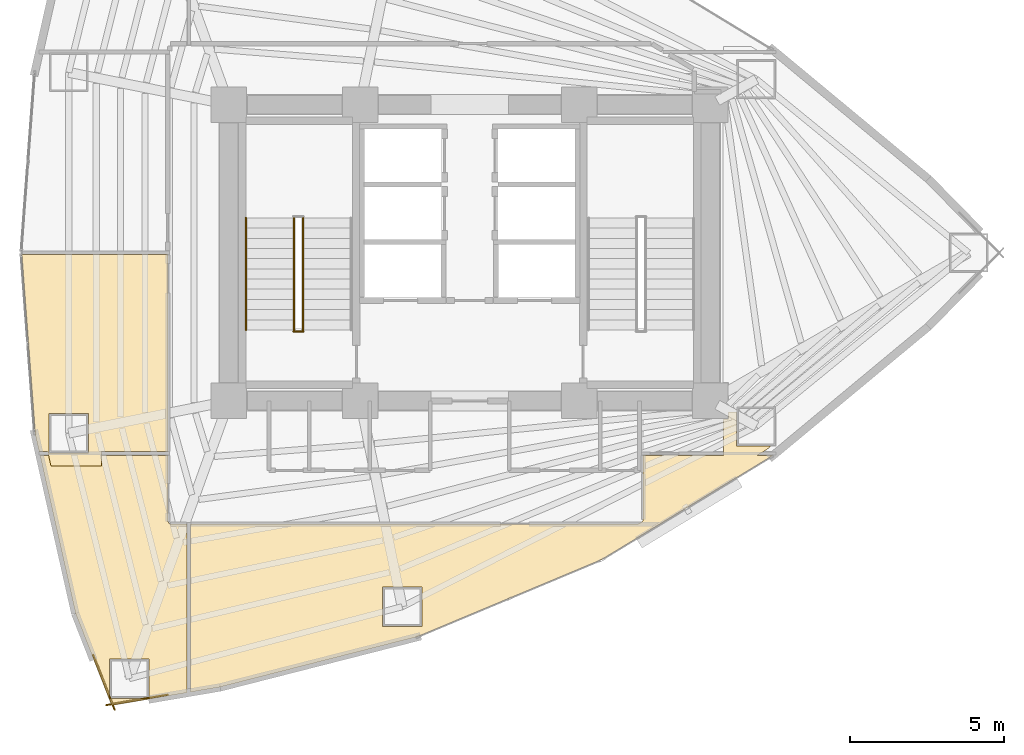
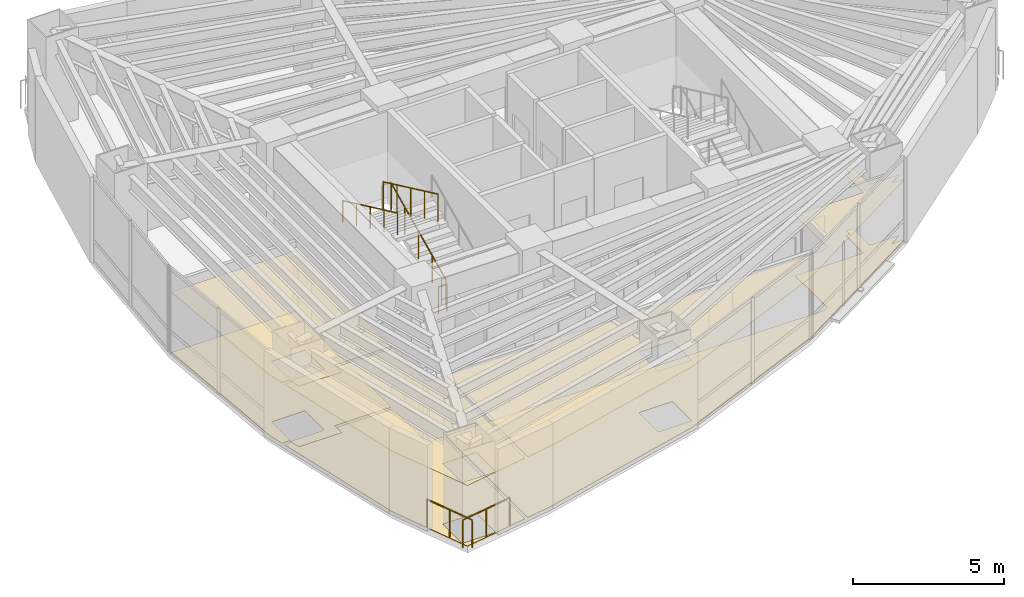
# One storey, part 15 of 16: 6 coverings, 6 railings.
"""IFC4 building model written with IfcOpenShell, lengths in metres."""

from ifc_helpers import new_model, si_unit, direction, frame, origin, origin_2d, place, context, subcontext, project, spatial, polyline, circle, outline, extrude, material, layer, layer_set, type_object, element, save


model = new_model("IFC4")

# Units and contexts
model_context = context("Model", 3, precision=1e-05, world=origin(), true_north=direction((0.0, 1.0)))
body_context = subcontext(model_context, "Body", "Model", "MODEL_VIEW")
ifc_project = project(units=[si_unit("LENGTHUNIT", "METRE"), si_unit("AREAUNIT", "SQUARE_METRE"), si_unit("VOLUMEUNIT", "CUBIC_METRE"), si_unit("PLANEANGLEUNIT", "RADIAN"), si_unit("MASSUNIT", "GRAM", prefix="KILO")], contexts=[model_context])

# Site, building, storey
site_placement = place(None, origin())
site = spatial("IfcSite", under=ifc_project, at=site_placement, CompositionType="ELEMENT")
building_placement = place(site_placement, origin())
building = spatial("IfcBuilding", under=site, at=building_placement, Name="Menara Vayukalpa", CompositionType="ELEMENT")
storey_placement = place(building_placement, frame((0.0, 0.0, 75.9599609375)))
storey = spatial("IfcBuildingStorey", under=building, at=storey_placement, Name="L18", CompositionType="ELEMENT", Elevation=75.9599609375)

# Coverings
ifc_material_1 = material(Name="Mineral Fibre Acoustic Ceiling Tile", Category="masonry")
ifc_layer_1 = layer(ifc_material_1, 0.02490234375)
ifc_layer_set_1 = layer_set([ifc_layer_1], Name="Mineral Fibre Acoustic Ceiling Tile")
covering_type_1 = type_object("IfcCoveringType", Name="COV-CLG1", PredefinedType="CEILING", material=ifc_layer_set_1)
covering_1_placement = place(storey_placement, frame((0.0, 0.0, 2.449951171875)))
element("IfcCovering", 1, at=covering_1_placement, inside=storey, type_object=covering_type_1, Name="L18 Visitor Reception Lounge Acoustic Ceiling", PredefinedType="CEILING", context=body_context, shape_type="SweptSolid", body=[
    extrude(outline(polyline([(11.65869140625, 15.56005859375), (11.65771484375, 15.56005859375), (11.65673828125, 15.560302734375), (11.65576171875, 15.560302734375), (11.65478515625, 15.560791015625), (11.654052734375, 15.56103515625), (11.653076171875, 15.5615234375), (11.65234375, 15.562255859375), (11.651611328125, 15.562744140625), (11.65087890625, 15.5634765625), (11.650390625, 15.564208984375), (11.64990234375, 15.565185546875), (11.6494140625, 15.56591796875), (11.649169921875, 15.56689453125), (11.648681640625, 15.56787109375), (11.5166015625, 16.155029296875), (11.516357421875, 16.156494140625), (11.08349609375, 21.92919921875), (11.08349609375, 21.93017578125), (11.08349609375, 21.93115234375), (11.083740234375, 21.93212890625), (11.083984375, 21.93310546875), (11.084228515625, 21.93408203125), (11.084716796875, 21.934814453125), (11.085205078125, 21.935791015625), (11.085693359375, 21.936279296875), (11.08642578125, 21.93701171875), (11.087158203125, 21.937744140625), (11.087890625, 21.9384765625), (11.0888671875, 21.93896484375), (11.089599609375, 21.939208984375), (11.090576171875, 21.939697265625), (11.091552734375, 21.939697265625), (11.092529296875, 21.93994140625), (11.093505859375, 21.93994140625), (15.820068359375, 21.93994140625), (15.821044921875, 21.93994140625), (15.822021484375, 21.939697265625), (15.822998046875, 21.939697265625), (15.82373046875, 21.939208984375), (15.82470703125, 21.938720703125), (15.82568359375, 21.938232421875), (15.826416015625, 21.937744140625), (15.8271484375, 21.93701171875), (15.82763671875, 21.936279296875), (15.828369140625, 21.935546875), (15.828857421875, 21.934814453125), (15.8291015625, 21.933837890625), (15.82958984375, 21.932861328125), (15.829833984375, 21.931884765625), (15.830078125, 21.930908203125), (15.830078125, 21.929931640625), (15.830078125, 15.570068359375), (15.830078125, 15.569091796875), (15.829833984375, 15.568115234375), (15.82958984375, 15.567138671875), (15.8291015625, 15.566162109375), (15.828857421875, 15.565185546875), (15.828369140625, 15.564453125), (15.82763671875, 15.563720703125), (15.8271484375, 15.56298828125), (15.826416015625, 15.562255859375), (15.82568359375, 15.561767578125), (15.82470703125, 15.561279296875), (15.82373046875, 15.560791015625), (15.822998046875, 15.560302734375), (15.822021484375, 15.560302734375), (15.821044921875, 15.56005859375), (15.820068359375, 15.56005859375), (13.66650390625, 15.56005859375), (13.66650390625, 15.09423828125), (12.031982421875, 15.09423828125), (11.92724609375, 15.56005859375), (11.65869140625, 15.56005859375)]), holes=[polyline([(13.24658203125, 16.794189453125), (11.966552734375, 16.794189453125), (11.966552734375, 15.514404296875), (13.24658203125, 15.514404296875), (13.24658203125, 16.794189453125)])]), origin(), (0.0, 0.0, 1.0), 0.025146484375),
])
covering_2_placement = place(storey_placement, frame((0.0, 0.0, 2.449951171875)))
element("IfcCovering", 2, at=covering_2_placement, inside=storey, type_object=covering_type_1, Name="L18 Visitor Reception Lounge Acoustic Ceiling", PredefinedType="CEILING", context=body_context, shape_type="SweptSolid", body=[
    extrude(outline(polyline([(14.005615234375, 7.33642578125), (14.00439453125, 7.336669921875), (14.003662109375, 7.3369140625), (14.002685546875, 7.33740234375), (14.001708984375, 7.337646484375), (14.0009765625, 7.338134765625), (14.000244140625, 7.3388671875), (13.99951171875, 7.339599609375), (13.998779296875, 7.340087890625), (13.998291015625, 7.341064453125), (13.997802734375, 7.341796875), (13.997314453125, 7.3427734375), (12.831787109375, 10.310791015625), (12.83154296875, 10.3115234375), (12.831298828125, 10.312255859375), (11.680419921875, 15.427734375), (11.68017578125, 15.4287109375), (11.68017578125, 15.4296875), (11.68017578125, 15.430908203125), (11.680419921875, 15.431884765625), (11.680419921875, 15.4326171875), (11.680908203125, 15.43359375), (11.68115234375, 15.4345703125), (11.681640625, 15.435302734375), (11.682373046875, 15.436279296875), (11.68310546875, 15.43701171875), (11.68359375, 15.437744140625), (11.6845703125, 15.438232421875), (11.685302734375, 15.438720703125), (11.686279296875, 15.439208984375), (11.687255859375, 15.439697265625), (11.68798828125, 15.439697265625), (11.689208984375, 15.43994140625), (11.690185546875, 15.43994140625), (11.954345703125, 15.43994140625), (11.7841796875, 16.19580078125), (11.7080078125, 17.21435546875), (13.66650390625, 17.21435546875), (13.66650390625, 15.43994140625), (15.820068359375, 15.43994140625), (15.821044921875, 15.43994140625), (15.822021484375, 15.439697265625), (15.822998046875, 15.439697265625), (15.82373046875, 15.439208984375), (15.82470703125, 15.438720703125), (15.82568359375, 15.438232421875), (15.826416015625, 15.437744140625), (15.8271484375, 15.43701171875), (15.82763671875, 15.436279296875), (15.828369140625, 15.435546875), (15.828857421875, 15.434814453125), (15.8291015625, 15.433837890625), (15.82958984375, 15.432861328125), (15.829833984375, 15.431884765625), (15.830078125, 15.430908203125), (15.830078125, 15.429931640625), (15.830078125, 13.290283203125), (15.830322265625, 13.283203125), (15.831298828125, 13.2763671875), (15.8330078125, 13.269775390625), (15.835205078125, 13.26318359375), (15.838134765625, 13.257080078125), (15.841796875, 13.251220703125), (15.845947265625, 13.24560546875), (15.8505859375, 13.240478515625), (15.85546875, 13.236083984375), (15.861083984375, 13.231689453125), (15.866943359375, 13.228271484375), (15.873291015625, 13.225341796875), (15.879638671875, 13.222900390625), (15.88623046875, 13.22119140625), (15.893310546875, 13.220458984375), (15.900390625, 13.219970703125), (16.429931640625, 13.219970703125), (16.430908203125, 13.219970703125), (16.431884765625, 13.2197265625), (16.432861328125, 13.219482421875), (16.433837890625, 13.21923828125), (16.434814453125, 13.21875), (16.435546875, 13.21826171875), (16.436279296875, 13.2177734375), (16.43701171875, 13.217041015625), (16.437744140625, 13.21630859375), (16.438232421875, 13.215576171875), (16.438720703125, 13.214599609375), (16.439208984375, 13.2138671875), (16.439697265625, 13.212890625), (16.439697265625, 13.2119140625), (16.43994140625, 13.2109375), (16.43994140625, 13.2099609375), (16.43994140625, 7.7578125), (16.43994140625, 7.7568359375), (16.439697265625, 7.755859375), (16.439697265625, 7.7548828125), (16.439208984375, 7.75390625), (16.438720703125, 7.7529296875), (16.438232421875, 7.752197265625), (16.4375, 7.751220703125), (16.43701171875, 7.75048828125), (16.436279296875, 7.75), (16.435302734375, 7.74951171875), (16.4345703125, 7.748779296875), (16.43359375, 7.74853515625), (16.4326171875, 7.748291015625), (16.431640625, 7.747802734375), (14.00830078125, 7.33642578125), (14.00732421875, 7.33642578125), (14.00634765625, 7.33642578125), (14.005615234375, 7.33642578125)]), holes=[polyline([(15.208984375, 8.842529296875), (13.92919921875, 8.842529296875), (13.92919921875, 7.5625), (15.208984375, 7.5625), (15.208984375, 8.842529296875)]), polyline([(13.24658203125, 16.794189453125), (11.966552734375, 16.794189453125), (11.966552734375, 15.514404296875), (13.24658203125, 15.514404296875), (13.24658203125, 16.794189453125)])]), origin(), (0.0, 0.0, 1.0), 0.025146484375),
])
covering_3_placement = place(storey_placement, frame((0.0, 0.0, 2.449951171875)))
element("IfcCovering", 3, at=covering_3_placement, inside=storey, type_object=covering_type_1, Name="L18 Visitor Reception Lounge Acoustic Ceiling", PredefinedType="CEILING", context=body_context, shape_type="SweptSolid", body=[
    extrude(outline(polyline([(23.90478515625, 9.562255859375), (23.903564453125, 9.561767578125), (17.5087890625, 7.930908203125), (17.5078125, 7.9306640625), (16.57177734375, 7.771728515625), (16.57080078125, 7.771484375), (16.569580078125, 7.771484375), (16.56884765625, 7.771728515625), (16.56787109375, 7.771728515625), (16.56689453125, 7.772216796875), (16.56591796875, 7.7724609375), (16.565185546875, 7.77294921875), (16.564208984375, 7.7734375), (16.5634765625, 7.77392578125), (16.562744140625, 7.774658203125), (16.562255859375, 7.775390625), (16.5615234375, 7.776123046875), (16.56103515625, 7.777099609375), (16.560791015625, 7.77783203125), (16.560302734375, 7.77880859375), (16.560302734375, 7.77978515625), (16.56005859375, 7.780517578125), (16.56005859375, 7.781494140625), (16.56005859375, 13.2099609375), (16.56005859375, 13.2109375), (16.560302734375, 13.2119140625), (16.560302734375, 13.212890625), (16.560791015625, 13.2138671875), (16.561279296875, 13.214599609375), (16.561767578125, 13.215576171875), (16.562255859375, 13.21630859375), (16.56298828125, 13.217041015625), (16.563720703125, 13.2177734375), (16.564453125, 13.21826171875), (16.565185546875, 13.21875), (16.566162109375, 13.21923828125), (16.567138671875, 13.219482421875), (16.568115234375, 13.2197265625), (16.569091796875, 13.219970703125), (16.570068359375, 13.219970703125), (31.048828125, 13.219970703125), (31.055419921875, 13.22021484375), (31.0615234375, 13.22119140625), (31.06787109375, 13.22265625), (31.073974609375, 13.224609375), (31.079833984375, 13.22705078125), (31.085693359375, 13.230224609375), (31.186279296875, 13.29150390625), (31.192138671875, 13.295654296875), (31.19775390625, 13.30029296875), (31.202880859375, 13.305419921875), (31.207275390625, 13.31103515625), (31.2109375, 13.317138671875), (31.214111328125, 13.323486328125), (31.216796875, 13.330078125), (31.218505859375, 13.337158203125), (31.219482421875, 13.34423828125), (31.219970703125, 13.3515625), (31.219970703125, 14.849609375), (31.219482421875, 14.856689453125), (31.21875, 14.86376953125), (31.217041015625, 14.870361328125), (31.214599609375, 14.876708984375), (31.2119140625, 14.8828125), (31.211669921875, 14.883056640625), (31.211181640625, 14.8837890625), (31.210693359375, 14.884765625), (31.21044921875, 14.8857421875), (31.210205078125, 14.88671875), (31.2099609375, 14.8876953125), (31.2099609375, 14.888671875), (31.2099609375, 15.429931640625), (31.2099609375, 15.430908203125), (31.210205078125, 15.431884765625), (31.21044921875, 15.432861328125), (31.210693359375, 15.433837890625), (31.211181640625, 15.434814453125), (31.211669921875, 15.435546875), (31.21240234375, 15.436279296875), (31.212890625, 15.43701171875), (31.213623046875, 15.437744140625), (31.21435546875, 15.438232421875), (31.21533203125, 15.438720703125), (31.21630859375, 15.439208984375), (31.217041015625, 15.439697265625), (31.218017578125, 15.439697265625), (31.218994140625, 15.43994140625), (31.219970703125, 15.43994140625), (33.826904296875, 15.43994140625), (33.826904296875, 16.610107421875), (33.989990234375, 16.610107421875), (33.989990234375, 16.85009765625), (34.246826171875, 16.85009765625), (34.246826171875, 15.73828125), (35.357666015625, 15.73828125), (35.22314453125, 15.626708984375), (34.915771484375, 15.43994140625), (35.39306640625, 15.43994140625), (35.39404296875, 15.43994140625), (35.39501953125, 15.439697265625), (35.39599609375, 15.439697265625), (35.39697265625, 15.439208984375), (35.397705078125, 15.438720703125), (35.398681640625, 15.438232421875), (35.3994140625, 15.437744140625), (35.400146484375, 15.43701171875), (35.40087890625, 15.436279296875), (35.4013671875, 15.435546875), (35.40185546875, 15.434814453125), (35.40234375, 15.433837890625), (35.402587890625, 15.432861328125), (35.40283203125, 15.431884765625), (35.403076171875, 15.430908203125), (35.403076171875, 15.43017578125), (35.403076171875, 15.42919921875), (35.40283203125, 15.427978515625), (35.402587890625, 15.42724609375), (35.40234375, 15.42626953125), (35.402099609375, 15.42529296875), (35.401611328125, 15.424560546875), (35.40087890625, 15.423583984375), (35.400146484375, 15.423095703125), (35.3994140625, 15.42236328125), (35.380859375, 15.40673828125), (35.380126953125, 15.40625), (35.379638671875, 15.406005859375), (29.862060546875, 12.05419921875), (29.861328125, 12.0537109375), (29.860595703125, 12.053466796875), (23.90478515625, 9.562255859375)]), holes=[polyline([(24.048095703125, 11.172607421875), (22.768310546875, 11.172607421875), (22.768310546875, 9.892578125), (24.048095703125, 9.892578125), (24.048095703125, 11.172607421875)])]), origin(), (0.0, 0.0, 1.0), 0.025146484375),
])
ifc_material_2 = material(Name="Porcelain Stoneware Floor Tile", Category="masonry")
ifc_layer_2 = layer(ifc_material_2, 0.02001953125)
ifc_layer_set_2 = layer_set([ifc_layer_2], Name="Porcelain Stoneware Floor Tile")
covering_type_2 = type_object("IfcCoveringType", Name="COV-FLR1", PredefinedType="FLOORING", material=ifc_layer_set_2)
covering_4_placement = place(storey_placement, origin())
element("IfcCovering", 4, at=covering_4_placement, inside=storey, type_object=covering_type_2, Name="L18 Visitor Reception Lounge Porcelain Flooring", PredefinedType="FLOORING", context=body_context, shape_type="SweptSolid", body=[
    extrude(outline(polyline([(11.65869140625, 15.56005859375), (11.65771484375, 15.56005859375), (11.65673828125, 15.560302734375), (11.65576171875, 15.560302734375), (11.65478515625, 15.560791015625), (11.654052734375, 15.56103515625), (11.653076171875, 15.5615234375), (11.65234375, 15.562255859375), (11.651611328125, 15.562744140625), (11.65087890625, 15.5634765625), (11.650390625, 15.564208984375), (11.64990234375, 15.565185546875), (11.6494140625, 15.56591796875), (11.649169921875, 15.56689453125), (11.648681640625, 15.56787109375), (11.5166015625, 16.155029296875), (11.516357421875, 16.156494140625), (11.08349609375, 21.92919921875), (11.08349609375, 21.93017578125), (11.08349609375, 21.93115234375), (11.083740234375, 21.93212890625), (11.083984375, 21.93310546875), (11.084228515625, 21.93408203125), (11.084716796875, 21.934814453125), (11.085205078125, 21.935791015625), (11.085693359375, 21.936279296875), (11.08642578125, 21.93701171875), (11.087158203125, 21.937744140625), (11.087890625, 21.9384765625), (11.0888671875, 21.93896484375), (11.089599609375, 21.939208984375), (11.090576171875, 21.939697265625), (11.091552734375, 21.939697265625), (11.092529296875, 21.93994140625), (11.093505859375, 21.93994140625), (15.820068359375, 21.93994140625), (15.821044921875, 21.93994140625), (15.822021484375, 21.939697265625), (15.822998046875, 21.939697265625), (15.82373046875, 21.939208984375), (15.82470703125, 21.938720703125), (15.82568359375, 21.938232421875), (15.826416015625, 21.937744140625), (15.8271484375, 21.93701171875), (15.82763671875, 21.936279296875), (15.828369140625, 21.935546875), (15.828857421875, 21.934814453125), (15.8291015625, 21.933837890625), (15.82958984375, 21.932861328125), (15.829833984375, 21.931884765625), (15.830078125, 21.930908203125), (15.830078125, 21.929931640625), (15.830078125, 15.570068359375), (15.830078125, 15.569091796875), (15.829833984375, 15.568115234375), (15.82958984375, 15.567138671875), (15.8291015625, 15.566162109375), (15.828857421875, 15.565185546875), (15.828369140625, 15.564453125), (15.82763671875, 15.563720703125), (15.8271484375, 15.56298828125), (15.826416015625, 15.562255859375), (15.82568359375, 15.561767578125), (15.82470703125, 15.561279296875), (15.82373046875, 15.560791015625), (15.822998046875, 15.560302734375), (15.822021484375, 15.560302734375), (15.821044921875, 15.56005859375), (15.820068359375, 15.56005859375), (13.66650390625, 15.56005859375), (13.66650390625, 15.09423828125), (12.031982421875, 15.09423828125), (11.92724609375, 15.56005859375), (11.65869140625, 15.56005859375)]), holes=[polyline([(13.24658203125, 16.794189453125), (11.966552734375, 16.794189453125), (11.966552734375, 15.514404296875), (13.24658203125, 15.514404296875), (13.24658203125, 16.794189453125)])]), origin(), (0.0, 0.0, 1.0), 0.02001953125),
])
covering_5_placement = place(storey_placement, origin())
element("IfcCovering", 5, at=covering_5_placement, inside=storey, type_object=covering_type_2, Name="L18 Visitor Reception Lounge Porcelain Flooring", PredefinedType="FLOORING", context=body_context, shape_type="SweptSolid", body=[
    extrude(outline(polyline([(14.005615234375, 7.33642578125), (14.00439453125, 7.336669921875), (14.003662109375, 7.3369140625), (14.002685546875, 7.33740234375), (14.001708984375, 7.337646484375), (14.0009765625, 7.338134765625), (14.000244140625, 7.3388671875), (13.99951171875, 7.339599609375), (13.998779296875, 7.340087890625), (13.998291015625, 7.341064453125), (13.997802734375, 7.341796875), (13.997314453125, 7.3427734375), (12.831787109375, 10.310791015625), (12.83154296875, 10.3115234375), (12.831298828125, 10.312255859375), (11.680419921875, 15.427734375), (11.68017578125, 15.4287109375), (11.68017578125, 15.4296875), (11.68017578125, 15.430908203125), (11.680419921875, 15.431884765625), (11.680419921875, 15.4326171875), (11.680908203125, 15.43359375), (11.68115234375, 15.4345703125), (11.681640625, 15.435302734375), (11.682373046875, 15.436279296875), (11.68310546875, 15.43701171875), (11.68359375, 15.437744140625), (11.6845703125, 15.438232421875), (11.685302734375, 15.438720703125), (11.686279296875, 15.439208984375), (11.687255859375, 15.439697265625), (11.68798828125, 15.439697265625), (11.689208984375, 15.43994140625), (11.690185546875, 15.43994140625), (11.954345703125, 15.43994140625), (11.7841796875, 16.19580078125), (11.7080078125, 17.21435546875), (13.66650390625, 17.21435546875), (13.66650390625, 15.43994140625), (15.820068359375, 15.43994140625), (15.821044921875, 15.43994140625), (15.822021484375, 15.439697265625), (15.822998046875, 15.439697265625), (15.82373046875, 15.439208984375), (15.82470703125, 15.438720703125), (15.82568359375, 15.438232421875), (15.826416015625, 15.437744140625), (15.8271484375, 15.43701171875), (15.82763671875, 15.436279296875), (15.828369140625, 15.435546875), (15.828857421875, 15.434814453125), (15.8291015625, 15.433837890625), (15.82958984375, 15.432861328125), (15.829833984375, 15.431884765625), (15.830078125, 15.430908203125), (15.830078125, 15.429931640625), (15.830078125, 13.290283203125), (15.830322265625, 13.283203125), (15.831298828125, 13.2763671875), (15.8330078125, 13.269775390625), (15.835205078125, 13.26318359375), (15.838134765625, 13.257080078125), (15.841796875, 13.251220703125), (15.845947265625, 13.24560546875), (15.8505859375, 13.240478515625), (15.85546875, 13.236083984375), (15.861083984375, 13.231689453125), (15.866943359375, 13.228271484375), (15.873291015625, 13.225341796875), (15.879638671875, 13.222900390625), (15.88623046875, 13.22119140625), (15.893310546875, 13.220458984375), (15.900390625, 13.219970703125), (16.429931640625, 13.219970703125), (16.430908203125, 13.219970703125), (16.431884765625, 13.2197265625), (16.432861328125, 13.219482421875), (16.433837890625, 13.21923828125), (16.434814453125, 13.21875), (16.435546875, 13.21826171875), (16.436279296875, 13.2177734375), (16.43701171875, 13.217041015625), (16.437744140625, 13.21630859375), (16.438232421875, 13.215576171875), (16.438720703125, 13.214599609375), (16.439208984375, 13.2138671875), (16.439697265625, 13.212890625), (16.439697265625, 13.2119140625), (16.43994140625, 13.2109375), (16.43994140625, 13.2099609375), (16.43994140625, 7.7578125), (16.43994140625, 7.7568359375), (16.439697265625, 7.755859375), (16.439697265625, 7.7548828125), (16.439208984375, 7.75390625), (16.438720703125, 7.7529296875), (16.438232421875, 7.752197265625), (16.4375, 7.751220703125), (16.43701171875, 7.75048828125), (16.436279296875, 7.75), (16.435302734375, 7.74951171875), (16.4345703125, 7.748779296875), (16.43359375, 7.74853515625), (16.4326171875, 7.748291015625), (16.431640625, 7.747802734375), (14.00830078125, 7.33642578125), (14.00732421875, 7.33642578125), (14.00634765625, 7.33642578125), (14.005615234375, 7.33642578125)]), holes=[polyline([(15.208984375, 8.842529296875), (13.92919921875, 8.842529296875), (13.92919921875, 7.5625), (15.208984375, 7.5625), (15.208984375, 8.842529296875)]), polyline([(13.24658203125, 16.794189453125), (11.966552734375, 16.794189453125), (11.966552734375, 15.514404296875), (13.24658203125, 15.514404296875), (13.24658203125, 16.794189453125)])]), origin(), (0.0, 0.0, 1.0), 0.02001953125),
])
covering_6_placement = place(storey_placement, origin())
element("IfcCovering", 6, at=covering_6_placement, inside=storey, type_object=covering_type_2, Name="L18 Visitor Reception Lounge Porcelain Flooring", PredefinedType="FLOORING", context=body_context, shape_type="SweptSolid", body=[
    extrude(outline(polyline([(23.90478515625, 9.562255859375), (23.903564453125, 9.561767578125), (17.5087890625, 7.930908203125), (17.5078125, 7.9306640625), (16.57177734375, 7.771728515625), (16.57080078125, 7.771484375), (16.569580078125, 7.771484375), (16.56884765625, 7.771728515625), (16.56787109375, 7.771728515625), (16.56689453125, 7.772216796875), (16.56591796875, 7.7724609375), (16.565185546875, 7.77294921875), (16.564208984375, 7.7734375), (16.5634765625, 7.77392578125), (16.562744140625, 7.774658203125), (16.562255859375, 7.775390625), (16.5615234375, 7.776123046875), (16.56103515625, 7.777099609375), (16.560791015625, 7.77783203125), (16.560302734375, 7.77880859375), (16.560302734375, 7.77978515625), (16.56005859375, 7.780517578125), (16.56005859375, 7.781494140625), (16.56005859375, 13.2099609375), (16.56005859375, 13.2109375), (16.560302734375, 13.2119140625), (16.560302734375, 13.212890625), (16.560791015625, 13.2138671875), (16.561279296875, 13.214599609375), (16.561767578125, 13.215576171875), (16.562255859375, 13.21630859375), (16.56298828125, 13.217041015625), (16.563720703125, 13.2177734375), (16.564453125, 13.21826171875), (16.565185546875, 13.21875), (16.566162109375, 13.21923828125), (16.567138671875, 13.219482421875), (16.568115234375, 13.2197265625), (16.569091796875, 13.219970703125), (16.570068359375, 13.219970703125), (31.048828125, 13.219970703125), (31.055419921875, 13.22021484375), (31.0615234375, 13.22119140625), (31.06787109375, 13.22265625), (31.073974609375, 13.224609375), (31.079833984375, 13.22705078125), (31.085693359375, 13.230224609375), (31.186279296875, 13.29150390625), (31.192138671875, 13.295654296875), (31.19775390625, 13.30029296875), (31.202880859375, 13.305419921875), (31.207275390625, 13.31103515625), (31.2109375, 13.317138671875), (31.214111328125, 13.323486328125), (31.216796875, 13.330078125), (31.218505859375, 13.337158203125), (31.219482421875, 13.34423828125), (31.219970703125, 13.3515625), (31.219970703125, 14.849609375), (31.219482421875, 14.856689453125), (31.21875, 14.86376953125), (31.217041015625, 14.870361328125), (31.214599609375, 14.876708984375), (31.2119140625, 14.8828125), (31.211669921875, 14.883056640625), (31.211181640625, 14.8837890625), (31.210693359375, 14.884765625), (31.21044921875, 14.8857421875), (31.210205078125, 14.88671875), (31.2099609375, 14.8876953125), (31.2099609375, 14.888671875), (31.2099609375, 15.429931640625), (31.2099609375, 15.430908203125), (31.210205078125, 15.431884765625), (31.21044921875, 15.432861328125), (31.210693359375, 15.433837890625), (31.211181640625, 15.434814453125), (31.211669921875, 15.435546875), (31.21240234375, 15.436279296875), (31.212890625, 15.43701171875), (31.213623046875, 15.437744140625), (31.21435546875, 15.438232421875), (31.21533203125, 15.438720703125), (31.21630859375, 15.439208984375), (31.217041015625, 15.439697265625), (31.218017578125, 15.439697265625), (31.218994140625, 15.43994140625), (31.219970703125, 15.43994140625), (33.826904296875, 15.43994140625), (33.826904296875, 16.610107421875), (33.989990234375, 16.610107421875), (33.989990234375, 16.85009765625), (34.246826171875, 16.85009765625), (34.246826171875, 15.73828125), (35.357666015625, 15.73828125), (35.22314453125, 15.626708984375), (34.915771484375, 15.43994140625), (35.39306640625, 15.43994140625), (35.39404296875, 15.43994140625), (35.39501953125, 15.439697265625), (35.39599609375, 15.439697265625), (35.39697265625, 15.439208984375), (35.397705078125, 15.438720703125), (35.398681640625, 15.438232421875), (35.3994140625, 15.437744140625), (35.400146484375, 15.43701171875), (35.40087890625, 15.436279296875), (35.4013671875, 15.435546875), (35.40185546875, 15.434814453125), (35.40234375, 15.433837890625), (35.402587890625, 15.432861328125), (35.40283203125, 15.431884765625), (35.403076171875, 15.430908203125), (35.403076171875, 15.43017578125), (35.403076171875, 15.42919921875), (35.40283203125, 15.427978515625), (35.402587890625, 15.42724609375), (35.40234375, 15.42626953125), (35.402099609375, 15.42529296875), (35.401611328125, 15.424560546875), (35.40087890625, 15.423583984375), (35.400146484375, 15.423095703125), (35.3994140625, 15.42236328125), (35.380859375, 15.40673828125), (35.380126953125, 15.40625), (35.379638671875, 15.406005859375), (29.862060546875, 12.05419921875), (29.861328125, 12.0537109375), (29.860595703125, 12.053466796875), (23.90478515625, 9.562255859375)]), holes=[polyline([(24.048095703125, 11.172607421875), (22.768310546875, 11.172607421875), (22.768310546875, 9.892578125), (24.048095703125, 9.892578125), (24.048095703125, 11.172607421875)])]), origin(), (0.0, 0.0, 1.0), 0.02001953125),
])

# Railings
ifc_material_3 = material(Name="Laminated Glass and Stainless Steel 316 Guardrail", Category="steel")
railing_type_1 = type_object("IfcRailingType", Name="RLG-EXT115", PredefinedType="GUARDRAIL", material=ifc_material_3)
railing_1_placement = place(storey_placement, frame((13.39990234375, 8.9736328125, 0.0)))
element("IfcRailing", 7, at=railing_1_placement, inside=storey, type_object=railing_type_1, Name="L18 Column Corner Spandrel Guardrail 13-1", PredefinedType="GUARDRAIL", context=body_context, shape_type="SweptSolid", body=[
    extrude(circle(Radius=0.02392578125, at=origin_2d()), frame((0.0, 0.0, 1.1259765625), z_axis=(0.365573386764, -0.930782519652, 0.0), x_axis=(0.930782519652, 0.365573386764, 0.0)), (0.0, 0.0, 1.0), 1.91259765625),
    extrude(circle(Radius=0.02099609375, at=origin_2d()), origin(), (0.0, 0.0, 1.0), 1.101806640625),
    extrude(circle(Radius=0.02099609375, at=origin_2d()), frame((0.349609375, -0.89013671875, 0.0)), (0.0, 0.0, 1.0), 1.101806640625),
    extrude(circle(Radius=0.02099609375, at=origin_2d()), frame((0.69921875, -1.7802734375, 0.0)), (0.0, 0.0, 1.0), 1.101806640625),
])
railing_2_placement = place(storey_placement, frame((13.827880859375, 7.346435546875, 0.0)))
element("IfcRailing", 8, at=railing_2_placement, inside=storey, type_object=railing_type_1, Name="L18 Column Corner Spandrel Guardrail 14-1", PredefinedType="GUARDRAIL", context=body_context, shape_type="SweptSolid", body=[
    extrude(circle(Radius=0.02392578125, at=origin_2d()), frame((0.0, 0.0, 1.1259765625), z_axis=(0.985895977605, 0.16735925831, 0.0), x_axis=(-0.16735925831, 0.985895977605, 0.0)), (0.0, 0.0, 1.0), 2.01904296875),
    extrude(circle(Radius=0.02099609375, at=origin_2d()), origin(), (0.0, 0.0, 1.0), 1.101806640625),
    extrude(circle(Radius=0.02099609375, at=origin_2d()), frame((0.9951171875, 0.1689453125, 0.0)), (0.0, 0.0, 1.0), 1.101806640625),
    extrude(circle(Radius=0.02099609375, at=origin_2d()), frame((1.990478515625, 0.337890625, 0.0)), (0.0, 0.0, 1.0), 1.101806640625),
])
ifc_material_4 = material(Name="Powder-Coated Galvanised Steel Guardrail", Category="steel")
railing_type_2 = type_object("IfcRailingType", Name="RLG-STG110", PredefinedType="GUARDRAIL", material=ifc_material_4)
railing_3_placement = place(storey_placement, frame((20.199951171875, 19.5, 0.155029296875)))
element("IfcRailing", 9, at=railing_3_placement, inside=storey, type_object=railing_type_2, Name="L18 ST-1 stair guard 1", PredefinedType="GUARDRAIL", context=body_context, shape_type="SweptSolid", body=[
    extrude(circle(Radius=0.02392578125, at=origin_2d()), frame((0.0, 0.0, 1.09619140625), z_axis=(0.0, 0.90511648382, 0.425163675209), x_axis=(-1.0, 0.0, 0.0)), (0.0, 0.0, 1.0), 4.010498046875),
    extrude(circle(Radius=0.02099609375, at=origin_2d()), origin(), (0.0, 0.0, 1.0), 1.072021484375),
    extrude(circle(Radius=0.02099609375, at=origin_2d()), frame((0.0, 0.907470703125, 0.42626953125)), (0.0, 0.0, 1.0), 1.072021484375),
    extrude(circle(Radius=0.02099609375, at=origin_2d()), frame((0.0, 1.81494140625, 0.8525390625)), (0.0, 0.0, 1.0), 1.072021484375),
    extrude(circle(Radius=0.02099609375, at=origin_2d()), frame((0.0, 2.722412109375, 1.27880859375)), (0.0, 0.0, 1.0), 1.072021484375),
    extrude(circle(Radius=0.02099609375, at=origin_2d()), frame((0.0, 3.6298828125, 1.705078125)), (0.0, 0.0, 1.0), 1.072021484375),
])
railing_4_placement = place(storey_placement, frame((19.89990234375, 23.1298828125, 2.01513671875)))
element("IfcRailing", 10, at=railing_4_placement, inside=storey, type_object=railing_type_2, Name="L18 ST-1 stair guard 3", PredefinedType="GUARDRAIL", context=body_context, shape_type="SweptSolid", body=[
    extrude(circle(Radius=0.02392578125, at=origin_2d()), frame((0.0, 0.0, 1.09619140625), z_axis=(0.0, -0.90513990983, 0.425113800803), x_axis=(1.0, 0.0, 0.0)), (0.0, 0.0, 1.0), 4.01025390625),
    extrude(circle(Radius=0.02099609375, at=origin_2d()), origin(), (0.0, 0.0, 1.0), 1.072021484375),
    extrude(circle(Radius=0.02099609375, at=origin_2d()), frame((0.0, -0.907470703125, 0.42626953125)), (0.0, 0.0, 1.0), 1.072021484375),
    extrude(circle(Radius=0.02099609375, at=origin_2d()), frame((0.0, -1.81494140625, 0.8525390625)), (0.0, 0.0, 1.0), 1.072021484375),
    extrude(circle(Radius=0.02099609375, at=origin_2d()), frame((0.0, -2.722412109375, 1.278564453125)), (0.0, 0.0, 1.0), 1.072021484375),
    extrude(circle(Radius=0.02099609375, at=origin_2d()), frame((0.0, -3.6298828125, 1.704833984375)), (0.0, 0.0, 1.0), 1.072021484375),
])
railing_5_placement = place(storey_placement, frame((20.2099609375, 19.449951171875, 0.0)))
element("IfcRailing", 11, at=railing_5_placement, inside=storey, type_object=railing_type_2, Name="L18 ST-1 stair guard 4", PredefinedType="GUARDRAIL", context=body_context, shape_type="SweptSolid", body=[
    extrude(circle(Radius=0.02392578125, at=origin_2d()), frame((0.0, 0.0, 1.09619140625), z_axis=(-1.0, 0.0, 0.0), x_axis=(0.0, -1.0, 0.0)), (0.0, 0.0, 1.0), 0.320068359375),
    extrude(circle(Radius=0.02099609375, at=origin_2d()), origin(), (0.0, 0.0, 1.0), 1.072021484375),
    extrude(circle(Radius=0.02099609375, at=origin_2d()), frame((-0.320068359375, 0.0, 0.0)), (0.0, 0.0, 1.0), 1.072021484375),
])
ifc_material_5 = material(Name="Stainless Steel 316 Tubular Handrail", Category="steel")
railing_type_3 = type_object("IfcRailingType", Name="RLG-STH090", PredefinedType="HANDRAIL", material=ifc_material_5)
railing_6_placement = place(storey_placement, frame((18.35009765625, 23.1298828125, 2.01513671875)))
element("IfcRailing", 12, at=railing_6_placement, inside=storey, type_object=railing_type_3, Name="L18 ST-1 stair handrail 2", PredefinedType="HANDRAIL", context=body_context, shape_type="SweptSolid", body=[
    extrude(circle(Radius=0.02392578125, at=origin_2d()), frame((0.0, 0.0, 0.8759765625), z_axis=(0.0, -0.90513990983, 0.425113800803), x_axis=(1.0, 0.0, 0.0)), (0.0, 0.0, 1.0), 4.01025390625),
    extrude(circle(Radius=0.02099609375, at=origin_2d()), origin(), (0.0, 0.0, 1.0), 0.851806640625),
    extrude(circle(Radius=0.02099609375, at=origin_2d()), frame((0.0, -0.907470703125, 0.42626953125)), (0.0, 0.0, 1.0), 0.851806640625),
    extrude(circle(Radius=0.02099609375, at=origin_2d()), frame((0.0, -1.81494140625, 0.8525390625)), (0.0, 0.0, 1.0), 0.851806640625),
    extrude(circle(Radius=0.02099609375, at=origin_2d()), frame((0.0, -2.722412109375, 1.278564453125)), (0.0, 0.0, 1.0), 0.851806640625),
    extrude(circle(Radius=0.02099609375, at=origin_2d()), frame((0.0, -3.6298828125, 1.704833984375)), (0.0, 0.0, 1.0), 0.851806640625),
])

save(model, "model.ifc")
